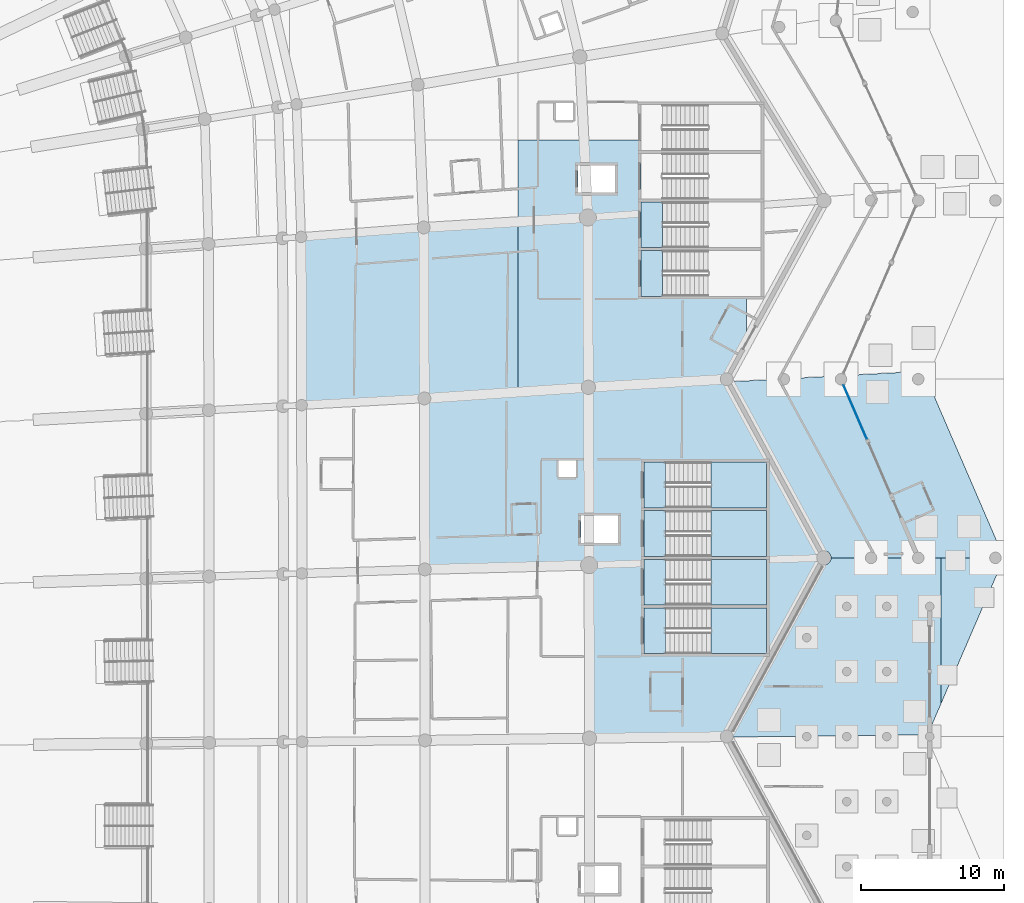
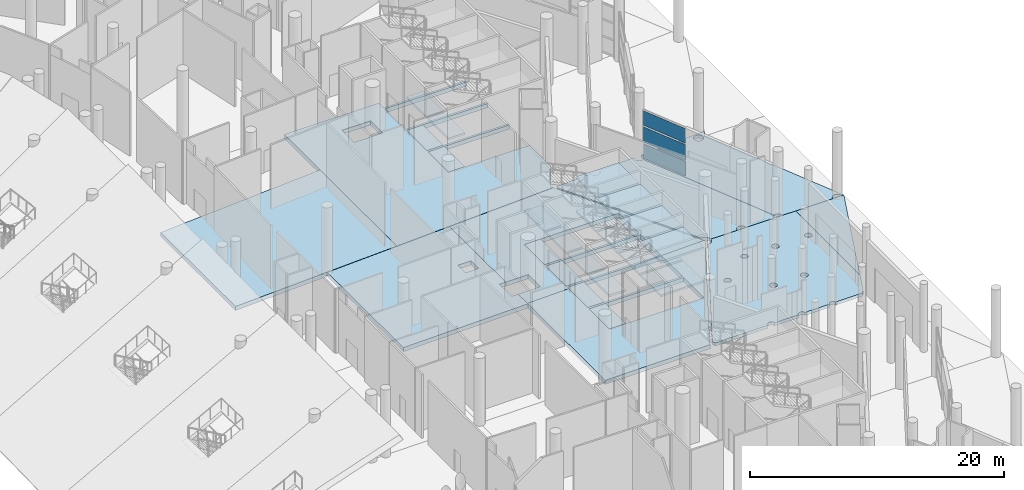
# One storey, part 93 of 255: 29 slabs, 3 plates, 7 elements without a shape of their own.
"""IFC4 building model written with IfcOpenShell, lengths in metres."""

from ifc_helpers import new_model, si_unit, direction, frame, origin, origin_2d, place, context, subcontext, project, spatial, polyline, rectangle, outline, extrude, material, layer, layer_set, type_object, element, aggregate, save


model = new_model("IFC4")

# Units and contexts
model_context = context("Model", 3, precision=1e-05, world=origin(), true_north=direction((0.0, 1.0)))
body_context = subcontext(model_context, "Body", "Model", "MODEL_VIEW")
ifc_project = project(units=[si_unit("LENGTHUNIT", "METRE"), si_unit("AREAUNIT", "SQUARE_METRE"), si_unit("VOLUMEUNIT", "CUBIC_METRE"), si_unit("PLANEANGLEUNIT", "RADIAN"), si_unit("MASSUNIT", "GRAM", prefix="KILO")], contexts=[model_context])

# Site, building, storey
site_placement = place(None, origin())
site = spatial("IfcSite", under=ifc_project, at=site_placement, CompositionType="ELEMENT")
building_placement = place(site_placement, origin())
building = spatial("IfcBuilding", under=site, at=building_placement, Name="Meseta Stadium", CompositionType="ELEMENT")
storey_placement = place(building_placement, origin())
storey = spatial("IfcBuildingStorey", under=building, at=storey_placement, Name="L00", CompositionType="ELEMENT", Elevation=0.0)

# Slabs
ifc_material_1 = material(Name="Concrete C40/50", Category="concrete")
ifc_layer_1 = layer(ifc_material_1, 0.39990234375)
ifc_layer_set_1 = layer_set([ifc_layer_1], Name="Floor slab 400")
slab_type_1 = type_object("IfcSlabType", Name="Floor slab 400", PredefinedType="FLOOR", material=ifc_layer_set_1)
slab_1_placement = place(storey_placement, frame((0.0, 0.0, -0.39990234375)))
element("IfcSlab", 1, at=slab_1_placement, inside=storey, type_object=slab_type_1, Name="Floor slab L00 sector 00 panel 14", PredefinedType="FLOOR", context=body_context, shape_type="SweptSolid", body=[
    extrude(outline(polyline([(84.971923828125, 19.800048828125), (84.39990234375, 19.800048828125), (84.39990234375, 21.699951171875), (84.9638671875, 21.699951171875), (84.926025390625, 30.523193359375), (73.451416015625, 29.89404296875), (73.482421875, 17.943603515625), (84.978515625, 18.24365234375), (84.971923828125, 19.800048828125)]), holes=[polyline([(84.050048828125, 25.60009765625), (84.050048828125, 24.39990234375), (82.85009765625, 24.39990234375), (82.85009765625, 25.60009765625), (84.050048828125, 25.60009765625)])]), origin(), (0.0, 0.0, 1.0), 0.39990234375),
])
slab_2_placement = place(storey_placement, frame((0.0, 0.0, -0.39990234375)))
element("IfcSlab", 2, at=slab_2_placement, inside=storey, type_object=slab_type_1, Name="Floor slab L00 sector 00 panel 22", PredefinedType="FLOOR", context=body_context, shape_type="SweptSolid", body=[
    extrude(outline(polyline([(84.9970703125, 6.107421875), (94.6201171875, 6.212890625), (94.60009765625, 6.25), (101.39990234375, 18.75), (101.340087890625, 18.85986328125), (94.9599609375, 18.64990234375), (97.39990234375, 18.64990234375), (97.39990234375, 15.449951171875), (88.800048828125, 15.449951171875), (88.800048828125, 18.447509765625), (84.978515625, 18.32177734375), (84.9970703125, 6.107421875)]), holes=[polyline([(97.39990234375, 12.050048828125), (88.800048828125, 12.050048828125), (88.800048828125, 15.25), (97.39990234375, 15.25), (97.39990234375, 12.050048828125)])]), origin(), (0.0, 0.0, 1.0), 0.39990234375),
])
slab_3_placement = place(storey_placement, frame((0.0, 0.0, -0.39990234375)))
element("IfcSlab", 3, at=slab_3_placement, inside=storey, type_object=slab_type_1, Name="Floor slab L00 sector 00 panel 24", PredefinedType="FLOOR", context=body_context, shape_type="SweptSolid", body=[
    extrude(outline(polyline([(94.70361328125, 31.059326171875), (84.926025390625, 30.523193359375), (84.9638671875, 21.699951171875), (87.0, 21.699951171875), (87.0, 19.800048828125), (84.971923828125, 19.800048828125), (84.978271484375, 18.32177734375), (88.800048828125, 18.447509765625), (88.800048828125, 18.64990234375), (94.9599609375, 18.64990234375), (101.340087890625, 18.85986328125), (94.70361328125, 31.059326171875)]), holes=[polyline([(97.39990234375, 18.85009765625), (88.800048828125, 18.85009765625), (88.800048828125, 22.050048828125), (97.39990234375, 22.050048828125), (97.39990234375, 18.85009765625)]), polyline([(97.39990234375, 22.25), (88.800048828125, 22.25), (88.800048828125, 25.449951171875), (97.39990234375, 25.449951171875), (97.39990234375, 22.25)])]), origin(), (0.0, 0.0, 1.0), 0.39990234375),
])
slab_4_placement = place(storey_placement, frame((0.0, 0.0, -0.39990234375)))
element("IfcSlab", 4, at=slab_4_placement, inside=storey, type_object=slab_type_1, Name="Floor slab L00 sector 07 panel 11", PredefinedType="FLOOR", context=body_context, shape_type="SweptSolid", body=[
    extrude(outline(polyline([(80.0, 42.368408203125), (64.829833984375, 41.2041015625), (64.8642578125, 29.443359375), (80.0, 30.273193359375), (80.0, 42.368408203125)])), origin(), (0.0, 0.0, 1.0), 0.39990234375),
])
slab_5_placement = place(storey_placement, frame((0.0, 0.0, -0.39990234375)))
element("IfcSlab", 5, at=slab_5_placement, inside=storey, type_object=slab_type_1, Name="Floor slab L00 sector 07 panel 15", PredefinedType="FLOOR", context=body_context, shape_type="SweptSolid", body=[
    extrude(outline(polyline([(96.0, 40.25), (96.0, 40.449951171875), (88.60009765625, 40.449951171875), (88.60009765625, 43.64990234375), (96.0, 43.64990234375), (96.0, 43.85009765625), (88.60009765625, 43.85009765625), (88.60009765625, 47.050048828125), (96.0, 47.050048828125), (96.0, 47.25), (88.60009765625, 47.25), (88.60009765625, 48.0), (80.0, 48.0), (80.0, 30.273193359375), (84.92578125, 30.543212890625), (94.693115234375, 31.07861328125), (94.60009765625, 31.25), (96.0, 33.823486328125), (96.0, 37.050048828125), (88.60009765625, 37.050048828125), (88.60009765625, 40.25), (96.0, 40.25)]), holes=[polyline([(86.800048828125, 46.199951171875), (86.800048828125, 44.300048828125), (84.199951171875, 44.300048828125), (84.199951171875, 46.199951171875), (86.800048828125, 46.199951171875)])]), origin(), (0.0, 0.0, 1.0), 0.39990234375),
])
ifc_material_2 = material(Name="Concrete C40/50", Category="concrete")
ifc_layer_2 = layer(ifc_material_2, 0.300048828125)
ifc_layer_set_2 = layer_set([ifc_layer_2], Name="Gate court paving 300")
slab_type_2 = type_object("IfcSlabType", Name="Gate court paving 300", PredefinedType="FLOOR", material=ifc_layer_set_2)
slab_6_placement = place(storey_placement, frame((0.0, 0.0, -0.300048828125)))
element("IfcSlab", 6, at=slab_6_placement, inside=storey, type_object=slab_type_2, Name="Gate 1 court paving", PredefinedType="FLOOR", context=body_context, shape_type="SweptSolid", body=[
    extrude(outline(polyline([(108.60009765625, 6.25), (114.0, 18.75), (109.60009765625, 18.75), (109.60009765625, 8.564697265625), (108.60009765625, 6.25)])), origin(), (0.0, 0.0, 1.0), 0.300048828125),
])
ifc_material_3 = material(Name="Concrete C30/37", Category="concrete")
ifc_layer_3 = layer(ifc_material_3, 0.300048828125)
ifc_layer_set_3 = layer_set([ifc_layer_3], Name="Gate grade slab 300")
slab_type_3 = type_object("IfcSlabType", Name="Gate grade slab 300", PredefinedType="BASESLAB", material=ifc_layer_set_3)
slab_7_placement = place(storey_placement, frame((0.0, 0.0, -0.300048828125)))
element("IfcSlab", 7, at=slab_7_placement, inside=storey, type_object=slab_type_3, Name="Gate ground floor slab 1 panel 01", PredefinedType="BASESLAB", context=body_context, shape_type="SweptSolid", body=[
    extrude(outline(polyline([(95.038330078125, 6.367431640625), (95.053955078125, 6.25), (95.049560546875, 6.217529296875), (99.900146484375, 6.270751953125), (99.90771484375, 6.328369140625), (99.93798828125, 6.4013671875), (99.986083984375, 6.464111328125), (100.048583984375, 6.511962890625), (100.12158203125, 6.542236328125), (100.199951171875, 6.552490234375), (100.2783203125, 6.542236328125), (100.351318359375, 6.511962890625), (100.4140625, 6.464111328125), (100.4619140625, 6.4013671875), (100.4921875, 6.328369140625), (100.4990234375, 6.27734375), (102.7041015625, 6.301513671875), (102.707763671875, 6.328369140625), (102.738037109375, 6.4013671875), (102.785888671875, 6.464111328125), (102.8486328125, 6.511962890625), (102.921630859375, 6.542236328125), (103.0, 6.552490234375), (103.078369140625, 6.542236328125), (103.1513671875, 6.511962890625), (103.214111328125, 6.464111328125), (103.261962890625, 6.4013671875), (103.292236328125, 6.328369140625), (103.294921875, 6.30810546875), (105.509521484375, 6.332275390625), (105.5380859375, 6.4013671875), (105.5859375, 6.464111328125), (105.648681640625, 6.511962890625), (105.7216796875, 6.542236328125), (105.800048828125, 6.552490234375), (105.87841796875, 6.542236328125), (105.951416015625, 6.511962890625), (106.013916015625, 6.464111328125), (106.06201171875, 6.4013671875), (106.087890625, 6.338623046875), (108.523193359375, 6.365478515625), (108.5380859375, 6.4013671875), (108.5859375, 6.464111328125), (108.648681640625, 6.511962890625), (108.7216796875, 6.542236328125), (108.7265625, 6.54296875), (109.60009765625, 8.564697265625), (109.60009765625, 18.75), (101.904296875, 18.75), (101.88720703125, 18.619384765625), (101.836669921875, 18.497802734375), (101.756591796875, 18.393310546875), (101.652099609375, 18.313232421875), (101.530517578125, 18.262939453125), (101.39990234375, 18.24560546875), (101.335205078125, 18.254150390625), (94.955078125, 6.5263671875), (94.9931640625, 6.476806640625), (95.038330078125, 6.367431640625)]), holes=[polyline([(100.4140625, 12.95361328125), (100.351318359375, 12.905517578125), (100.2783203125, 12.875244140625), (100.199951171875, 12.864990234375), (100.12158203125, 12.875244140625), (100.048583984375, 12.905517578125), (99.986083984375, 12.95361328125), (99.93798828125, 13.01611328125), (99.90771484375, 13.089111328125), (99.8974609375, 13.16748046875), (99.90771484375, 13.245849609375), (99.93798828125, 13.318603515625), (99.986083984375, 13.38134765625), (100.048583984375, 13.429443359375), (100.12158203125, 13.459716796875), (100.199951171875, 13.469970703125), (100.2783203125, 13.459716796875), (100.351318359375, 13.429443359375), (100.4140625, 13.38134765625), (100.4619140625, 13.318603515625), (100.4921875, 13.245849609375), (100.502685546875, 13.16748046875), (100.4921875, 13.089111328125), (100.4619140625, 13.01611328125), (100.4140625, 12.95361328125)]), polyline([(103.261962890625, 15.19873046875), (103.214111328125, 15.135986328125), (103.1513671875, 15.087890625), (103.078369140625, 15.0576171875), (103.0, 15.04736328125), (102.921630859375, 15.0576171875), (102.8486328125, 15.087890625), (102.785888671875, 15.135986328125), (102.738037109375, 15.19873046875), (102.707763671875, 15.271728515625), (102.697509765625, 15.35009765625), (102.707763671875, 15.42822265625), (102.738037109375, 15.501220703125), (102.785888671875, 15.56396484375), (102.8486328125, 15.612060546875), (102.921630859375, 15.642333984375), (103.0, 15.652587890625), (103.078369140625, 15.642333984375), (103.1513671875, 15.612060546875), (103.214111328125, 15.56396484375), (103.261962890625, 15.501220703125), (103.292236328125, 15.42822265625), (103.302490234375, 15.35009765625), (103.292236328125, 15.271728515625), (103.261962890625, 15.19873046875)]), polyline([(103.214111328125, 10.5859375), (103.1513671875, 10.5380859375), (103.078369140625, 10.5078125), (103.0, 10.497314453125), (102.921630859375, 10.5078125), (102.8486328125, 10.5380859375), (102.785888671875, 10.5859375), (102.738037109375, 10.648681640625), (102.707763671875, 10.7216796875), (102.697509765625, 10.800048828125), (102.707763671875, 10.87841796875), (102.738037109375, 10.951416015625), (102.785888671875, 11.013916015625), (102.8486328125, 11.06201171875), (102.921630859375, 11.09228515625), (103.0, 11.1025390625), (103.078369140625, 11.09228515625), (103.1513671875, 11.06201171875), (103.214111328125, 11.013916015625), (103.261962890625, 10.951416015625), (103.292236328125, 10.87841796875), (103.302490234375, 10.800048828125), (103.292236328125, 10.7216796875), (103.261962890625, 10.648681640625), (103.214111328125, 10.5859375)]), polyline([(106.06201171875, 10.648681640625), (106.013916015625, 10.5859375), (105.951416015625, 10.5380859375), (105.87841796875, 10.5078125), (105.800048828125, 10.497314453125), (105.7216796875, 10.5078125), (105.648681640625, 10.5380859375), (105.5859375, 10.5859375), (105.5380859375, 10.648681640625), (105.5078125, 10.7216796875), (105.497314453125, 10.800048828125), (105.5078125, 10.87841796875), (105.5380859375, 10.951416015625), (105.5859375, 11.013916015625), (105.648681640625, 11.06201171875), (105.7216796875, 11.09228515625), (105.800048828125, 11.1025390625), (105.87841796875, 11.09228515625), (105.951416015625, 11.06201171875), (106.013916015625, 11.013916015625), (106.06201171875, 10.951416015625), (106.09228515625, 10.87841796875), (106.1025390625, 10.800048828125), (106.09228515625, 10.7216796875), (106.06201171875, 10.648681640625)]), polyline([(106.013916015625, 15.135986328125), (105.951416015625, 15.087890625), (105.87841796875, 15.0576171875), (105.800048828125, 15.04736328125), (105.7216796875, 15.0576171875), (105.648681640625, 15.087890625), (105.5859375, 15.135986328125), (105.5380859375, 15.19873046875), (105.5078125, 15.271728515625), (105.497314453125, 15.35009765625), (105.5078125, 15.42822265625), (105.5380859375, 15.501220703125), (105.5859375, 15.56396484375), (105.648681640625, 15.612060546875), (105.7216796875, 15.642333984375), (105.800048828125, 15.652587890625), (105.87841796875, 15.642333984375), (105.951416015625, 15.612060546875), (106.013916015625, 15.56396484375), (106.06201171875, 15.501220703125), (106.09228515625, 15.42822265625), (106.1025390625, 15.35009765625), (106.09228515625, 15.271728515625), (106.06201171875, 15.19873046875), (106.013916015625, 15.135986328125)]), polyline([(109.013916015625, 15.135986328125), (108.951416015625, 15.087890625), (108.87841796875, 15.0576171875), (108.800048828125, 15.04736328125), (108.7216796875, 15.0576171875), (108.648681640625, 15.087890625), (108.5859375, 15.135986328125), (108.5380859375, 15.19873046875), (108.5078125, 15.271728515625), (108.497314453125, 15.35009765625), (108.5078125, 15.42822265625), (108.5380859375, 15.501220703125), (108.5859375, 15.56396484375), (108.648681640625, 15.612060546875), (108.7216796875, 15.642333984375), (108.800048828125, 15.652587890625), (108.87841796875, 15.642333984375), (108.951416015625, 15.612060546875), (109.013916015625, 15.56396484375), (109.06201171875, 15.501220703125), (109.09228515625, 15.42822265625), (109.1025390625, 15.35009765625), (109.09228515625, 15.271728515625), (109.06201171875, 15.19873046875), (109.013916015625, 15.135986328125)])]), origin(), (0.0, 0.0, 1.0), 0.300048828125),
])
ifc_material_4 = material(Name="Concrete C40/50", Category="concrete")
ifc_layer_4 = layer(ifc_material_4, 0.300048828125)
ifc_layer_set_4 = layer_set([ifc_layer_4], Name="Passage paving slab 300")
slab_type_4 = type_object("IfcSlabType", Name="Passage paving slab 300", PredefinedType="FLOOR", material=ifc_layer_set_4)
slab_8_placement = place(storey_placement, frame((0.0, 0.0, -0.300048828125)))
element("IfcSlab", 8, at=slab_8_placement, inside=storey, type_object=slab_type_4, Name="Covered passage paving 1 part 2", PredefinedType="FLOOR", context=body_context, shape_type="SweptSolid", body=[
    extrude(outline(polyline([(108.60009765625, 31.25), (108.852783203125, 31.8349609375), (102.905517578125, 31.5087890625), (102.949462890625, 31.45166015625), (102.98974609375, 31.3544921875), (103.00341796875, 31.25), (102.98974609375, 31.1455078125), (102.949462890625, 31.04833984375), (102.88525390625, 30.964599609375), (102.8017578125, 30.900634765625), (102.758544921875, 30.8828125), (107.84130859375, 19.1171875), (107.8955078125, 19.1396484375), (108.0, 19.153564453125), (108.1044921875, 19.1396484375), (108.20166015625, 19.099365234375), (108.285400390625, 19.035400390625), (108.349365234375, 18.95166015625), (108.3896484375, 18.8544921875), (108.403564453125, 18.75), (112.99658203125, 18.75), (113.01025390625, 18.8544921875), (113.050537109375, 18.95166015625), (113.11474609375, 19.035400390625), (113.1982421875, 19.099365234375), (113.295654296875, 19.1396484375), (113.39990234375, 19.153564453125), (113.50439453125, 19.1396484375), (113.601806640625, 19.099365234375), (113.685302734375, 19.035400390625), (113.74951171875, 18.95166015625), (113.789794921875, 18.8544921875), (113.803466796875, 18.75), (114.0, 18.75), (108.60009765625, 31.25)]), holes=[polyline([(107.8955078125, 30.8603515625), (107.79833984375, 30.900634765625), (107.714599609375, 30.964599609375), (107.650634765625, 31.04833984375), (107.6103515625, 31.1455078125), (107.596435546875, 31.25), (107.6103515625, 31.3544921875), (107.650634765625, 31.45166015625), (107.714599609375, 31.535400390625), (107.79833984375, 31.599365234375), (107.8955078125, 31.6396484375), (108.0, 31.653564453125), (108.1044921875, 31.6396484375), (108.20166015625, 31.599365234375), (108.285400390625, 31.535400390625), (108.349365234375, 31.45166015625), (108.3896484375, 31.3544921875), (108.403564453125, 31.25), (108.3896484375, 31.1455078125), (108.349365234375, 31.04833984375), (108.285400390625, 30.964599609375), (108.20166015625, 30.900634765625), (108.1044921875, 30.8603515625), (108.0, 30.846435546875), (107.8955078125, 30.8603515625)])]), origin(), (0.0, 0.0, 1.0), 0.300048828125),
])

# Curtain wall, plates
ifc_material_5 = material(Name="Aluminium", Category="aluminium")
ifc_layer_5 = layer(ifc_material_5, 0.199951171875)
ifc_layer_set_5 = layer_set([ifc_layer_5], Name="Ring shopfront curtain wall")
curtain_wall_type = type_object("IfcCurtainWallType", Name="Ring shopfront curtain wall", PredefinedType="NOTDEFINED", material=ifc_layer_set_5)
curtain_wall_placement = place(storey_placement, origin())
curtain_wall = element("IfcCurtainWall", 9, at=curtain_wall_placement, inside=storey, type_object=curtain_wall_type, Name="Shopfront glazing F06b", PredefinedType="NOTDEFINED")
ifc_material_6 = material(Name="Glass", Category="glass")
ifc_layer_6 = layer(ifc_material_6, 0.035888671875)
ifc_layer_set_6 = layer_set([ifc_layer_6], Name="Ring CW glass panel 36")
plate_type = type_object("IfcPlateType", Name="Ring CW glass panel 36", PredefinedType="CURTAIN_PANEL", material=ifc_layer_set_6)
plate_1_placement = place(storey_placement, frame((103.593017578125, 28.951171875, 0.150146484375), z_axis=(0.0, 0.0, 1.0), x_axis=(-0.396576208678, 0.918001803218, 0.0)))
plate_1 = element("IfcPlate", 10, at=plate_1_placement, type_object=plate_type, Name="CWR1 panel 1.1", PredefinedType="CURTAIN_PANEL", context=body_context, shape_type="SweptSolid", body=[
    extrude(rectangle(XDim=4.08837890625, YDim=0.035888671875, at=origin_2d()), origin(), (0.0, 0.0, 1.0), 1.3916015625),
])
plate_2_placement = place(storey_placement, frame((103.593017578125, 28.951171875, 1.69189453125), z_axis=(0.0, 0.0, 1.0), x_axis=(-0.396576208678, 0.918001803218, 0.0)))
plate_2 = element("IfcPlate", 11, at=plate_2_placement, type_object=plate_type, Name="CWR1 panel 1.2", PredefinedType="CURTAIN_PANEL", context=body_context, shape_type="SweptSolid", body=[
    extrude(rectangle(XDim=4.08837890625, YDim=0.035888671875, at=origin_2d()), origin(), (0.0, 0.0, 1.0), 1.466552734375),
])
plate_3_placement = place(storey_placement, frame((103.593017578125, 28.951171875, 3.308349609375), z_axis=(0.0, 0.0, 1.0), x_axis=(-0.396576208678, 0.918001803218, 0.0)))
plate_3 = element("IfcPlate", 12, at=plate_3_placement, type_object=plate_type, Name="CWR1 panel 1.3", PredefinedType="CURTAIN_PANEL", context=body_context, shape_type="SweptSolid", body=[
    extrude(rectangle(XDim=4.08837890625, YDim=0.035888671875, at=origin_2d()), origin(), (0.0, 0.0, 1.0), 1.3916015625),
])
aggregate(curtain_wall, [plate_1, plate_2, plate_3])

# Slab
ifc_material_7 = material(Name="Concrete C30/37", Category="concrete")
ifc_layer_7 = layer(ifc_material_7, 0.300048828125)
ifc_layer_set_7 = layer_set([ifc_layer_7], Name="Ring grade slab 300")
slab_type_5 = type_object("IfcSlabType", Name="Ring grade slab 300", PredefinedType="BASESLAB", material=ifc_layer_set_7)
slab_9_placement = place(storey_placement, frame((0.0, 0.0, -0.300048828125)))
element("IfcSlab", 13, at=slab_9_placement, inside=storey, type_object=slab_type_5, Name="Ring ground floor slab 1 part 2", PredefinedType="BASESLAB", context=body_context, shape_type="SweptSolid", body=[
    extrude(outline(polyline([(102.25048828125, 31.45166015625), (102.267578125, 31.47412109375), (98.99755859375, 31.294677734375), (99.00341796875, 31.25), (98.98974609375, 31.1455078125), (98.949462890625, 31.04833984375), (98.88525390625, 30.964599609375), (98.8017578125, 30.900634765625), (98.704345703125, 30.8603515625), (98.60009765625, 30.846435546875), (98.49560546875, 30.8603515625), (98.398193359375, 30.900634765625), (98.314697265625, 30.964599609375), (98.25048828125, 31.04833984375), (98.210205078125, 31.1455078125), (98.196533203125, 31.25), (98.196533203125, 31.250732421875), (95.01513671875, 31.076416015625), (94.9931640625, 31.023193359375), (94.935302734375, 30.94775390625), (101.30322265625, 19.24169921875), (101.39990234375, 19.25439453125), (101.530517578125, 19.237060546875), (101.652099609375, 19.186767578125), (101.756591796875, 19.106689453125), (101.836669921875, 19.002197265625), (101.88720703125, 18.880615234375), (101.904296875, 18.75), (104.29638671875, 18.75), (104.310302734375, 18.8544921875), (104.3505859375, 18.95166015625), (104.414794921875, 19.035400390625), (104.498291015625, 19.099365234375), (104.595703125, 19.1396484375), (104.699951171875, 19.153564453125), (104.804443359375, 19.1396484375), (104.901611328125, 19.099365234375), (104.9853515625, 19.035400390625), (105.04931640625, 18.95166015625), (105.089599609375, 18.8544921875), (105.103515625, 18.75), (107.596435546875, 18.75), (107.6103515625, 18.8544921875), (107.650634765625, 18.95166015625), (107.714599609375, 19.035400390625), (107.79833984375, 19.099365234375), (107.84130859375, 19.1171875), (102.758544921875, 30.8828125), (102.704345703125, 30.8603515625), (102.60009765625, 30.846435546875), (102.49560546875, 30.8603515625), (102.398193359375, 30.900634765625), (102.314697265625, 30.964599609375), (102.25048828125, 31.04833984375), (102.210205078125, 31.1455078125), (102.196533203125, 31.25), (102.210205078125, 31.3544921875), (102.25048828125, 31.45166015625)])), origin(), (0.0, 0.0, 1.0), 0.300048828125),
])

# Stair, slabs
ifc_material_8 = material(Name="Concrete C40/50", Category="concrete")
stair_type = type_object("IfcStairType", Name="Exit stair 4 flights 148 mm risers", PredefinedType="HALF_TURN_STAIR", material=ifc_material_8)
stair_1_placement = place(storey_placement, origin())
stair_1 = element("IfcStair", 14, at=stair_1_placement, inside=storey, type_object=stair_type, Name="ST13 L00", PredefinedType="HALF_TURN_STAIR")
ifc_material_9 = material(Name="Concrete C40/50", Category="concrete")
ifc_layer_8 = layer(ifc_material_9, 0.199951171875)
ifc_layer_set_8 = layer_set([ifc_layer_8], Name="Stair landing 200")
slab_type_6 = type_object("IfcSlabType", Name="Stair landing 200", PredefinedType="LANDING", material=ifc_layer_set_8)
slab_10_placement = place(storey_placement, frame((0.0, 0.0, 1.425048828125)))
slab_10 = element("IfcSlab", 15, at=slab_10_placement, type_object=slab_type_6, Name="ST13 L00 landing 1", PredefinedType="LANDING", context=body_context, shape_type="SweptSolid", body=[
    extrude(outline(polyline([(93.489990234375, 12.050048828125), (97.39990234375, 12.050048828125), (97.39990234375, 15.25), (93.489990234375, 15.25), (93.489990234375, 12.050048828125)])), origin(), (0.0, 0.0, 1.0), 0.199951171875),
])
slab_11_placement = place(storey_placement, frame((0.0, 0.0, 3.050048828125)))
slab_11 = element("IfcSlab", 16, at=slab_11_placement, type_object=slab_type_6, Name="ST13 L00 landing 2", PredefinedType="LANDING", context=body_context, shape_type="SweptSolid", body=[
    extrude(outline(polyline([(88.800048828125, 12.050048828125), (90.31005859375, 12.050048828125), (90.31005859375, 15.25), (88.800048828125, 15.25), (88.800048828125, 12.050048828125)])), origin(), (0.0, 0.0, 1.0), 0.199951171875),
])
slab_12_placement = place(storey_placement, frame((0.0, 0.0, 4.675048828125)))
slab_12 = element("IfcSlab", 17, at=slab_12_placement, type_object=slab_type_6, Name="ST13 L00 landing 3", PredefinedType="LANDING", context=body_context, shape_type="SweptSolid", body=[
    extrude(outline(polyline([(93.489990234375, 12.050048828125), (97.39990234375, 12.050048828125), (97.39990234375, 15.25), (93.489990234375, 15.25), (93.489990234375, 12.050048828125)])), origin(), (0.0, 0.0, 1.0), 0.199951171875),
])
slab_13_placement = place(storey_placement, frame((0.0, 0.0, -0.199951171875)))
slab_13 = element("IfcSlab", 18, at=slab_13_placement, type_object=slab_type_6, Name="ST13 L00 landing 4", PredefinedType="LANDING", context=body_context, shape_type="SweptSolid", body=[
    extrude(outline(polyline([(88.800048828125, 12.050048828125), (90.31005859375, 12.050048828125), (90.31005859375, 15.25), (88.800048828125, 15.25), (88.800048828125, 12.050048828125)])), origin(), (0.0, 0.0, 1.0), 0.199951171875),
])
aggregate(stair_1, [slab_10, slab_11, slab_12, slab_13])

stair_2_placement = place(storey_placement, origin())
stair_2 = element("IfcStair", 19, at=stair_2_placement, inside=storey, type_object=stair_type, Name="ST14 L00", PredefinedType="HALF_TURN_STAIR")
slab_14_placement = place(storey_placement, frame((0.0, 0.0, 1.425048828125)))
slab_14 = element("IfcSlab", 20, at=slab_14_placement, type_object=slab_type_6, Name="ST14 L00 landing 1", PredefinedType="LANDING", context=body_context, shape_type="SweptSolid", body=[
    extrude(outline(polyline([(93.489990234375, 15.449951171875), (97.39990234375, 15.449951171875), (97.39990234375, 18.64990234375), (93.489990234375, 18.64990234375), (93.489990234375, 15.449951171875)])), origin(), (0.0, 0.0, 1.0), 0.199951171875),
])
slab_15_placement = place(storey_placement, frame((0.0, 0.0, 3.050048828125)))
slab_15 = element("IfcSlab", 21, at=slab_15_placement, type_object=slab_type_6, Name="ST14 L00 landing 2", PredefinedType="LANDING", context=body_context, shape_type="SweptSolid", body=[
    extrude(outline(polyline([(88.800048828125, 15.449951171875), (90.31005859375, 15.449951171875), (90.31005859375, 18.64990234375), (88.800048828125, 18.64990234375), (88.800048828125, 15.449951171875)])), origin(), (0.0, 0.0, 1.0), 0.199951171875),
])
slab_16_placement = place(storey_placement, frame((0.0, 0.0, 4.675048828125)))
slab_16 = element("IfcSlab", 22, at=slab_16_placement, type_object=slab_type_6, Name="ST14 L00 landing 3", PredefinedType="LANDING", context=body_context, shape_type="SweptSolid", body=[
    extrude(outline(polyline([(93.489990234375, 15.449951171875), (97.39990234375, 15.449951171875), (97.39990234375, 18.64990234375), (93.489990234375, 18.64990234375), (93.489990234375, 15.449951171875)])), origin(), (0.0, 0.0, 1.0), 0.199951171875),
])
slab_17_placement = place(storey_placement, frame((0.0, 0.0, -0.199951171875)))
slab_17 = element("IfcSlab", 23, at=slab_17_placement, type_object=slab_type_6, Name="ST14 L00 landing 4", PredefinedType="LANDING", context=body_context, shape_type="SweptSolid", body=[
    extrude(outline(polyline([(88.800048828125, 15.449951171875), (90.31005859375, 15.449951171875), (90.31005859375, 18.64990234375), (88.800048828125, 18.64990234375), (88.800048828125, 15.449951171875)])), origin(), (0.0, 0.0, 1.0), 0.199951171875),
])
aggregate(stair_2, [slab_14, slab_15, slab_16, slab_17])

stair_3_placement = place(storey_placement, origin())
stair_3 = element("IfcStair", 24, at=stair_3_placement, inside=storey, type_object=stair_type, Name="ST15 L00", PredefinedType="HALF_TURN_STAIR")
slab_18_placement = place(storey_placement, frame((0.0, 0.0, 1.425048828125)))
slab_18 = element("IfcSlab", 25, at=slab_18_placement, type_object=slab_type_6, Name="ST15 L00 landing 1", PredefinedType="LANDING", context=body_context, shape_type="SweptSolid", body=[
    extrude(outline(polyline([(93.489990234375, 18.85009765625), (97.39990234375, 18.85009765625), (97.39990234375, 22.050048828125), (93.489990234375, 22.050048828125), (93.489990234375, 18.85009765625)])), origin(), (0.0, 0.0, 1.0), 0.199951171875),
])
slab_19_placement = place(storey_placement, frame((0.0, 0.0, 3.050048828125)))
slab_19 = element("IfcSlab", 26, at=slab_19_placement, type_object=slab_type_6, Name="ST15 L00 landing 2", PredefinedType="LANDING", context=body_context, shape_type="SweptSolid", body=[
    extrude(outline(polyline([(88.800048828125, 18.85009765625), (90.31005859375, 18.85009765625), (90.31005859375, 22.050048828125), (88.800048828125, 22.050048828125), (88.800048828125, 18.85009765625)])), origin(), (0.0, 0.0, 1.0), 0.199951171875),
])
slab_20_placement = place(storey_placement, frame((0.0, 0.0, 4.675048828125)))
slab_20 = element("IfcSlab", 27, at=slab_20_placement, type_object=slab_type_6, Name="ST15 L00 landing 3", PredefinedType="LANDING", context=body_context, shape_type="SweptSolid", body=[
    extrude(outline(polyline([(93.489990234375, 18.85009765625), (97.39990234375, 18.85009765625), (97.39990234375, 22.050048828125), (93.489990234375, 22.050048828125), (93.489990234375, 18.85009765625)])), origin(), (0.0, 0.0, 1.0), 0.199951171875),
])
slab_21_placement = place(storey_placement, frame((0.0, 0.0, -0.199951171875)))
slab_21 = element("IfcSlab", 28, at=slab_21_placement, type_object=slab_type_6, Name="ST15 L00 landing 4", PredefinedType="LANDING", context=body_context, shape_type="SweptSolid", body=[
    extrude(outline(polyline([(88.800048828125, 18.85009765625), (90.31005859375, 18.85009765625), (90.31005859375, 22.050048828125), (88.800048828125, 22.050048828125), (88.800048828125, 18.85009765625)])), origin(), (0.0, 0.0, 1.0), 0.199951171875),
])
aggregate(stair_3, [slab_18, slab_19, slab_20, slab_21])

stair_4_placement = place(storey_placement, origin())
stair_4 = element("IfcStair", 29, at=stair_4_placement, inside=storey, type_object=stair_type, Name="ST16 L00", PredefinedType="HALF_TURN_STAIR")
slab_22_placement = place(storey_placement, frame((0.0, 0.0, 1.425048828125)))
slab_22 = element("IfcSlab", 30, at=slab_22_placement, type_object=slab_type_6, Name="ST16 L00 landing 1", PredefinedType="LANDING", context=body_context, shape_type="SweptSolid", body=[
    extrude(outline(polyline([(93.489990234375, 22.25), (97.39990234375, 22.25), (97.39990234375, 25.449951171875), (93.489990234375, 25.449951171875), (93.489990234375, 22.25)])), origin(), (0.0, 0.0, 1.0), 0.199951171875),
])
slab_23_placement = place(storey_placement, frame((0.0, 0.0, 3.050048828125)))
slab_23 = element("IfcSlab", 31, at=slab_23_placement, type_object=slab_type_6, Name="ST16 L00 landing 2", PredefinedType="LANDING", context=body_context, shape_type="SweptSolid", body=[
    extrude(outline(polyline([(88.800048828125, 22.25), (90.31005859375, 22.25), (90.31005859375, 25.449951171875), (88.800048828125, 25.449951171875), (88.800048828125, 22.25)])), origin(), (0.0, 0.0, 1.0), 0.199951171875),
])
slab_24_placement = place(storey_placement, frame((0.0, 0.0, 4.675048828125)))
slab_24 = element("IfcSlab", 32, at=slab_24_placement, type_object=slab_type_6, Name="ST16 L00 landing 3", PredefinedType="LANDING", context=body_context, shape_type="SweptSolid", body=[
    extrude(outline(polyline([(93.489990234375, 22.25), (97.39990234375, 22.25), (97.39990234375, 25.449951171875), (93.489990234375, 25.449951171875), (93.489990234375, 22.25)])), origin(), (0.0, 0.0, 1.0), 0.199951171875),
])
slab_25_placement = place(storey_placement, frame((0.0, 0.0, -0.199951171875)))
slab_25 = element("IfcSlab", 33, at=slab_25_placement, type_object=slab_type_6, Name="ST16 L00 landing 4", PredefinedType="LANDING", context=body_context, shape_type="SweptSolid", body=[
    extrude(outline(polyline([(88.800048828125, 22.25), (90.31005859375, 22.25), (90.31005859375, 25.449951171875), (88.800048828125, 25.449951171875), (88.800048828125, 22.25)])), origin(), (0.0, 0.0, 1.0), 0.199951171875),
])
aggregate(stair_4, [slab_22, slab_23, slab_24, slab_25])

stair_5_placement = place(storey_placement, origin())
stair_5 = element("IfcStair", 34, at=stair_5_placement, inside=storey, type_object=stair_type, Name="ST17 L00", PredefinedType="HALF_TURN_STAIR")
slab_26_placement = place(storey_placement, frame((0.0, 0.0, 3.050048828125)))
slab_26 = element("IfcSlab", 35, at=slab_26_placement, type_object=slab_type_6, Name="ST17 L00 landing 2", PredefinedType="LANDING", context=body_context, shape_type="SweptSolid", body=[
    extrude(outline(polyline([(88.60009765625, 37.050048828125), (90.110107421875, 37.050048828125), (90.110107421875, 40.25), (88.60009765625, 40.25), (88.60009765625, 37.050048828125)])), origin(), (0.0, 0.0, 1.0), 0.199951171875),
])
slab_27_placement = place(storey_placement, frame((0.0, 0.0, -0.199951171875)))
slab_27 = element("IfcSlab", 36, at=slab_27_placement, type_object=slab_type_6, Name="ST17 L00 landing 4", PredefinedType="LANDING", context=body_context, shape_type="SweptSolid", body=[
    extrude(outline(polyline([(88.60009765625, 37.050048828125), (90.110107421875, 37.050048828125), (90.110107421875, 40.25), (88.60009765625, 40.25), (88.60009765625, 37.050048828125)])), origin(), (0.0, 0.0, 1.0), 0.199951171875),
])
aggregate(stair_5, [slab_26, slab_27])

stair_6_placement = place(storey_placement, origin())
stair_6 = element("IfcStair", 37, at=stair_6_placement, inside=storey, type_object=stair_type, Name="ST18 L00", PredefinedType="HALF_TURN_STAIR")
slab_28_placement = place(storey_placement, frame((0.0, 0.0, 3.050048828125)))
slab_28 = element("IfcSlab", 38, at=slab_28_placement, type_object=slab_type_6, Name="ST18 L00 landing 2", PredefinedType="LANDING", context=body_context, shape_type="SweptSolid", body=[
    extrude(outline(polyline([(88.60009765625, 40.449951171875), (90.110107421875, 40.449951171875), (90.110107421875, 43.64990234375), (88.60009765625, 43.64990234375), (88.60009765625, 40.449951171875)])), origin(), (0.0, 0.0, 1.0), 0.199951171875),
])
slab_29_placement = place(storey_placement, frame((0.0, 0.0, -0.199951171875)))
slab_29 = element("IfcSlab", 39, at=slab_29_placement, type_object=slab_type_6, Name="ST18 L00 landing 4", PredefinedType="LANDING", context=body_context, shape_type="SweptSolid", body=[
    extrude(outline(polyline([(88.60009765625, 40.449951171875), (90.110107421875, 40.449951171875), (90.110107421875, 43.64990234375), (88.60009765625, 43.64990234375), (88.60009765625, 40.449951171875)])), origin(), (0.0, 0.0, 1.0), 0.199951171875),
])
aggregate(stair_6, [slab_28, slab_29])

save(model, "model.ifc")
